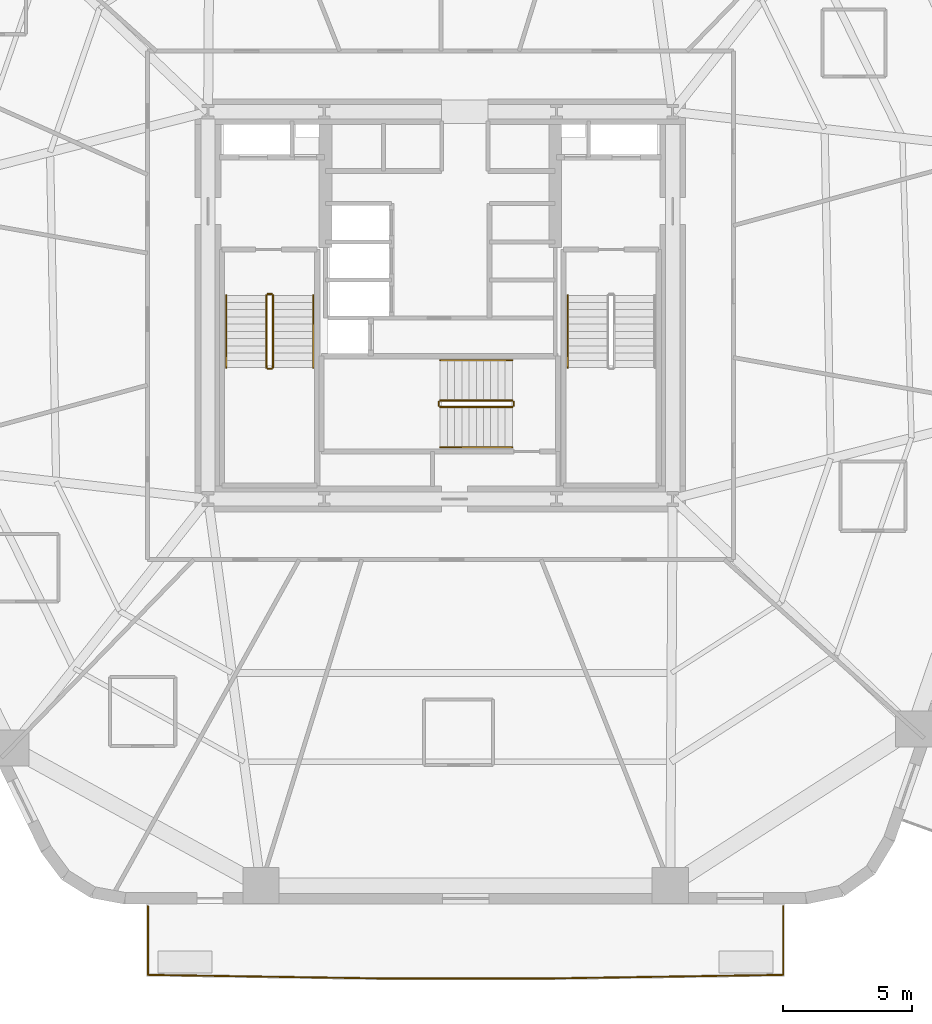
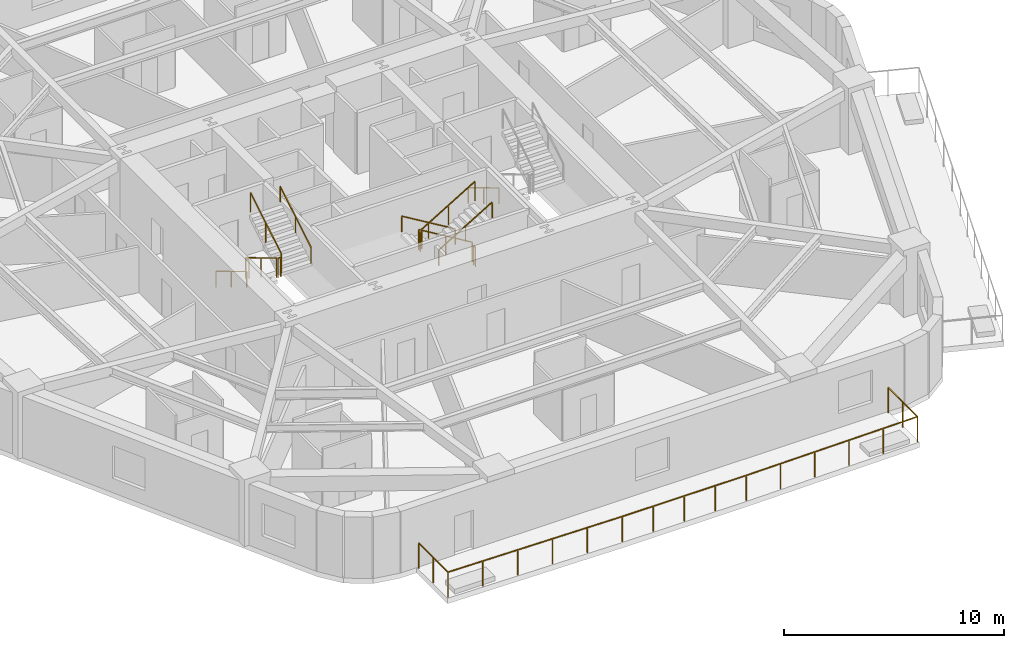
# One storey, part 8 of 10: 14 railings.
"""IFC4 building model written with IfcOpenShell, lengths in metres."""

from ifc_helpers import new_model, si_unit, direction, frame, origin, origin_2d, place, context, subcontext, project, spatial, rectangle, extrude, material, layer, layer_set, type_object, element, save


model = new_model("IFC4")

# Units and contexts
model_context = context("Model", 3, precision=1e-05, world=origin(), true_north=direction((0.0, 1.0)))
body_context = subcontext(model_context, "Body", "Model", "MODEL_VIEW")
ifc_project = project(units=[si_unit("LENGTHUNIT", "METRE"), si_unit("AREAUNIT", "SQUARE_METRE"), si_unit("VOLUMEUNIT", "CUBIC_METRE"), si_unit("PLANEANGLEUNIT", "RADIAN"), si_unit("MASSUNIT", "GRAM", prefix="KILO")], contexts=[model_context])

# Site, building, storey
site_placement = place(None, origin())
site = spatial("IfcSite", under=ifc_project, at=site_placement, CompositionType="ELEMENT")
building_placement = place(site_placement, origin())
building = spatial("IfcBuilding", under=site, at=building_placement, Name="Kilnhurst Terrace Hotel", CompositionType="ELEMENT")
storey_placement = place(building_placement, frame((0.0, 0.0, 67.5)))
storey = spatial("IfcBuildingStorey", under=building, at=storey_placement, Name="L15", CompositionType="ELEMENT", Elevation=67.5)

# Railings
ifc_material_1 = material(Name="Laminated SentryGlas and Stainless Steel AISI 316L Balustrade", Category="steel")
ifc_layer_1 = layer(ifc_material_1, 0.070068359375, Name="Laminated SentryGlas and Stainless Steel AISI 316L Balustrade")
ifc_layer_set_1 = layer_set([ifc_layer_1], Name="Laminated SentryGlas and Stainless Steel AISI 316L Balustrade")
railing_type_1 = type_object("IfcRailingType", Name="RLG-BAL-1420", PredefinedType="BALUSTRADE", material=ifc_layer_set_1)
railing_1_placement = place(storey_placement, frame((13.281494140625, -23.280029296875, 0.0)))
element("IfcRailing", 1, at=railing_1_placement, inside=storey, type_object=railing_type_1, Name="L15 Exterior Terrace Guardrail BAL-L1A.1", PredefinedType="BALUSTRADE", context=body_context, shape_type="SweptSolid", body=[
    extrude(rectangle(XDim=0.048095703125, YDim=0.048095703125, at=origin_2d()), frame((0.0, 0.0, 1.39599609375), z_axis=(0.0, -1.0, 0.0), x_axis=(1.0, 0.0, 0.0)), (0.0, 0.0, 1.0), 2.660888671875),
    extrude(rectangle(XDim=0.048095703125, YDim=0.048095703125, at=origin_2d()), frame((0.0, -2.660888671875, 1.39599609375), z_axis=(-0.999881869157, -0.015370352358, 0.0), x_axis=(0.015370352358, -0.999881869157, 0.0)), (0.0, 0.0, 1.0), 9.0537109375),
    extrude(rectangle(XDim=0.048095703125, YDim=0.048095703125, at=origin_2d()), frame((-9.052734375, -2.800048828125, 1.39599609375), z_axis=(-1.0, 0.0, 0.0), x_axis=(0.0, -1.0, 0.0)), (0.0, 0.0, 1.0), 6.508056640625),
    extrude(rectangle(XDim=0.048095703125, YDim=0.048095703125, at=origin_2d()), frame((-15.560791015625, -2.800048828125, 1.39599609375), z_axis=(-0.999881869157, 0.015370352358, 0.0), x_axis=(-0.015370352358, -0.999881869157, 0.0)), (0.0, 0.0, 1.0), 9.0537109375),
    extrude(rectangle(XDim=0.048095703125, YDim=0.048095703125, at=origin_2d()), frame((-24.613525390625, -2.660888671875, 1.39599609375), z_axis=(0.0, 1.0, 0.0), x_axis=(-1.0, 0.0, 0.0)), (0.0, 0.0, 1.0), 2.660888671875),
    extrude(rectangle(XDim=0.0419921875, YDim=0.0419921875, at=origin_2d()), origin(), (0.0, 0.0, 1.0), 1.371826171875),
    extrude(rectangle(XDim=0.0419921875, YDim=0.0419921875, at=origin_2d()), frame((0.0, -1.33056640625, 0.0)), (0.0, 0.0, 1.0), 1.371826171875),
    extrude(rectangle(XDim=0.0419921875, YDim=0.0419921875, at=origin_2d()), frame((0.0, -2.660888671875, 0.0)), (0.0, 0.0, 1.0), 1.371826171875),
    extrude(rectangle(XDim=0.0419921875, YDim=0.0419921875, at=origin_2d()), frame((-1.810546875, -2.688720703125, 0.0)), (0.0, 0.0, 1.0), 1.371826171875),
    extrude(rectangle(XDim=0.0419921875, YDim=0.0419921875, at=origin_2d()), frame((-3.62109375, -2.716552734375, 0.0)), (0.0, 0.0, 1.0), 1.371826171875),
    extrude(rectangle(XDim=0.0419921875, YDim=0.0419921875, at=origin_2d()), frame((-5.431640625, -2.744384765625, 0.0)), (0.0, 0.0, 1.0), 1.371826171875),
    extrude(rectangle(XDim=0.0419921875, YDim=0.0419921875, at=origin_2d()), frame((-7.2421875, -2.772216796875, 0.0)), (0.0, 0.0, 1.0), 1.371826171875),
    extrude(rectangle(XDim=0.0419921875, YDim=0.0419921875, at=origin_2d()), frame((-9.052734375, -2.800048828125, 0.0)), (0.0, 0.0, 1.0), 1.371826171875),
    extrude(rectangle(XDim=0.0419921875, YDim=0.0419921875, at=origin_2d()), frame((-10.6796875, -2.800048828125, 0.0)), (0.0, 0.0, 1.0), 1.371826171875),
    extrude(rectangle(XDim=0.0419921875, YDim=0.0419921875, at=origin_2d()), frame((-12.306640625, -2.800048828125, 0.0)), (0.0, 0.0, 1.0), 1.371826171875),
    extrude(rectangle(XDim=0.0419921875, YDim=0.0419921875, at=origin_2d()), frame((-13.933837890625, -2.800048828125, 0.0)), (0.0, 0.0, 1.0), 1.371826171875),
    extrude(rectangle(XDim=0.0419921875, YDim=0.0419921875, at=origin_2d()), frame((-15.560791015625, -2.800048828125, 0.0)), (0.0, 0.0, 1.0), 1.371826171875),
    extrude(rectangle(XDim=0.0419921875, YDim=0.0419921875, at=origin_2d()), frame((-17.371337890625, -2.772216796875, 0.0)), (0.0, 0.0, 1.0), 1.371826171875),
    extrude(rectangle(XDim=0.0419921875, YDim=0.0419921875, at=origin_2d()), frame((-19.181884765625, -2.744384765625, 0.0)), (0.0, 0.0, 1.0), 1.371826171875),
    extrude(rectangle(XDim=0.0419921875, YDim=0.0419921875, at=origin_2d()), frame((-20.992431640625, -2.716552734375, 0.0)), (0.0, 0.0, 1.0), 1.371826171875),
    extrude(rectangle(XDim=0.0419921875, YDim=0.0419921875, at=origin_2d()), frame((-22.802978515625, -2.688720703125, 0.0)), (0.0, 0.0, 1.0), 1.371826171875),
    extrude(rectangle(XDim=0.0419921875, YDim=0.0419921875, at=origin_2d()), frame((-24.613525390625, -2.660888671875, 0.0)), (0.0, 0.0, 1.0), 1.371826171875),
    extrude(rectangle(XDim=0.0419921875, YDim=0.0419921875, at=origin_2d()), frame((-24.613525390625, -1.33056640625, 0.0)), (0.0, 0.0, 1.0), 1.371826171875),
    extrude(rectangle(XDim=0.0419921875, YDim=0.0419921875, at=origin_2d()), frame((-24.613525390625, 0.0, 0.0)), (0.0, 0.0, 1.0), 1.371826171875),
])
ifc_material_2 = material(Name="Powder-Coated Steel ASTM A500 Grade B", Category="steel")
ifc_layer_2 = layer(ifc_material_2, 0.050048828125, Name="Powder-Coated Steel ASTM A500 Grade B")
ifc_layer_set_2 = layer_set([ifc_layer_2], Name="Powder-Coated Steel ASTM A500 Grade B")
railing_type_2 = type_object("IfcRailingType", Name="RLG-ST-GRD-1100", PredefinedType="GUARDRAIL", material=ifc_layer_set_2)
railing_2_placement = place(storey_placement, frame((-6.739990234375, 0.389892578125, 0.168212890625)))
element("IfcRailing", 2, at=railing_2_placement, inside=storey, type_object=railing_type_2, Name="L15 ST-1 stair guard 1", PredefinedType="GUARDRAIL", context=body_context, shape_type="SweptSolid", body=[
    extrude(rectangle(XDim=0.048095703125, YDim=0.048095703125, at=origin_2d()), frame((0.0, 0.0, 1.076171875), z_axis=(0.0, -0.857222391501, 0.514946377315), x_axis=(1.0, 0.0, 0.0)), (0.0, 0.0, 1.0), 3.26611328125),
    extrude(rectangle(XDim=0.0419921875, YDim=0.0419921875, at=origin_2d()), origin(), (0.0, 0.0, 1.0), 1.052001953125),
    extrude(rectangle(XDim=0.0419921875, YDim=0.0419921875, at=origin_2d()), frame((0.0, -1.39990234375, 0.8408203125)), (0.0, 0.0, 1.0), 1.052001953125),
    extrude(rectangle(XDim=0.0419921875, YDim=0.0419921875, at=origin_2d()), frame((0.0, -2.7998046875, 1.681884765625)), (0.0, 0.0, 1.0), 1.052001953125),
])
railing_3_placement = place(storey_placement, frame((-6.68994140625, -2.4599609375, 1.85009765625)))
element("IfcRailing", 3, at=railing_3_placement, inside=storey, type_object=railing_type_2, Name="L15 ST-1 stair guard 2", PredefinedType="GUARDRAIL", context=body_context, shape_type="SweptSolid", body=[
    extrude(rectangle(XDim=0.048095703125, YDim=0.048095703125, at=origin_2d()), frame((0.0, 0.0, 1.076171875), z_axis=(1.0, 0.0, 0.0), x_axis=(0.0, 1.0, 0.0)), (0.0, 0.0, 1.0), 0.14990234375),
    extrude(rectangle(XDim=0.0419921875, YDim=0.0419921875, at=origin_2d()), origin(), (0.0, 0.0, 1.0), 1.052001953125),
    extrude(rectangle(XDim=0.0419921875, YDim=0.0419921875, at=origin_2d()), frame((0.14990234375, 0.0, 0.0)), (0.0, 0.0, 1.0), 1.052001953125),
])
railing_4_placement = place(storey_placement, frame((-6.489990234375, -2.409912109375, 2.01806640625)))
element("IfcRailing", 4, at=railing_4_placement, inside=storey, type_object=railing_type_2, Name="L15 ST-1 stair guard 3", PredefinedType="GUARDRAIL", context=body_context, shape_type="SweptSolid", body=[
    extrude(rectangle(XDim=0.048095703125, YDim=0.048095703125, at=origin_2d()), frame((0.0, 0.0, 1.076171875), z_axis=(0.0, 0.857222391501, 0.514946377315), x_axis=(-1.0, 0.0, 0.0)), (0.0, 0.0, 1.0), 3.26611328125),
    extrude(rectangle(XDim=0.0419921875, YDim=0.0419921875, at=origin_2d()), origin(), (0.0, 0.0, 1.0), 1.052001953125),
    extrude(rectangle(XDim=0.0419921875, YDim=0.0419921875, at=origin_2d()), frame((0.0, 1.39990234375, 0.8408203125)), (0.0, 0.0, 1.0), 1.052001953125),
    extrude(rectangle(XDim=0.0419921875, YDim=0.0419921875, at=origin_2d()), frame((0.0, 2.7998046875, 1.681884765625)), (0.0, 0.0, 1.0), 1.052001953125),
])
railing_5_placement = place(storey_placement, frame((-6.68994140625, 0.43994140625, 0.0)))
element("IfcRailing", 5, at=railing_5_placement, inside=storey, type_object=railing_type_2, Name="L15 ST-1 stair guard 4", PredefinedType="GUARDRAIL", context=body_context, shape_type="SweptSolid", body=[
    extrude(rectangle(XDim=0.048095703125, YDim=0.048095703125, at=origin_2d()), frame((0.0, 0.0, 1.076171875), z_axis=(1.0, 0.0, 0.0), x_axis=(0.0, 1.0, 0.0)), (0.0, 0.0, 1.0), 0.14990234375),
    extrude(rectangle(XDim=0.0419921875, YDim=0.0419921875, at=origin_2d()), origin(), (0.0, 0.0, 1.0), 1.052001953125),
    extrude(rectangle(XDim=0.0419921875, YDim=0.0419921875, at=origin_2d()), frame((0.14990234375, 0.0, 0.0)), (0.0, 0.0, 1.0), 1.052001953125),
])
railing_6_placement = place(storey_placement, frame((2.7900390625, -3.68994140625, 0.168212890625)))
element("IfcRailing", 6, at=railing_6_placement, inside=storey, type_object=railing_type_2, Name="L15 ST-3 stair guard 1", PredefinedType="GUARDRAIL", context=body_context, shape_type="SweptSolid", body=[
    extrude(rectangle(XDim=0.048095703125, YDim=0.048095703125, at=origin_2d()), frame((0.0, 0.0, 1.076171875), z_axis=(-0.857242210791, 0.0, 0.514913383045), x_axis=(0.0, -1.0, 0.0)), (0.0, 0.0, 1.0), 3.266357421875),
    extrude(rectangle(XDim=0.0419921875, YDim=0.0419921875, at=origin_2d()), origin(), (0.0, 0.0, 1.0), 1.052001953125),
    extrude(rectangle(XDim=0.0419921875, YDim=0.0419921875, at=origin_2d()), frame((-1.39990234375, 0.0, 0.8408203125)), (0.0, 0.0, 1.0), 1.052001953125),
    extrude(rectangle(XDim=0.0419921875, YDim=0.0419921875, at=origin_2d()), frame((-2.800048828125, 0.0, 1.681884765625)), (0.0, 0.0, 1.0), 1.052001953125),
])
railing_7_placement = place(storey_placement, frame((-0.06005859375, -3.739990234375, 1.85009765625)))
element("IfcRailing", 7, at=railing_7_placement, inside=storey, type_object=railing_type_2, Name="L15 ST-3 stair guard 2", PredefinedType="GUARDRAIL", context=body_context, shape_type="SweptSolid", body=[
    extrude(rectangle(XDim=0.048095703125, YDim=0.048095703125, at=origin_2d()), frame((0.0, 0.0, 1.076171875), z_axis=(0.0, -1.0, 0.0), x_axis=(1.0, 0.0, 0.0)), (0.0, 0.0, 1.0), 0.14990234375),
    extrude(rectangle(XDim=0.0419921875, YDim=0.0419921875, at=origin_2d()), origin(), (0.0, 0.0, 1.0), 1.052001953125),
    extrude(rectangle(XDim=0.0419921875, YDim=0.0419921875, at=origin_2d()), frame((0.0, -0.14990234375, 0.0)), (0.0, 0.0, 1.0), 1.052001953125),
])
railing_8_placement = place(storey_placement, frame((-0.010009765625, -3.93994140625, 2.01806640625)))
element("IfcRailing", 8, at=railing_8_placement, inside=storey, type_object=railing_type_2, Name="L15 ST-3 stair guard 3", PredefinedType="GUARDRAIL", context=body_context, shape_type="SweptSolid", body=[
    extrude(rectangle(XDim=0.048095703125, YDim=0.048095703125, at=origin_2d()), frame((0.0, 0.0, 1.076171875), z_axis=(0.857242210791, 0.0, 0.514913383045), x_axis=(0.0, 1.0, 0.0)), (0.0, 0.0, 1.0), 3.266357421875),
    extrude(rectangle(XDim=0.0419921875, YDim=0.0419921875, at=origin_2d()), origin(), (0.0, 0.0, 1.0), 1.052001953125),
    extrude(rectangle(XDim=0.0419921875, YDim=0.0419921875, at=origin_2d()), frame((1.39990234375, 0.0, 0.8408203125)), (0.0, 0.0, 1.0), 1.052001953125),
    extrude(rectangle(XDim=0.0419921875, YDim=0.0419921875, at=origin_2d()), frame((2.800048828125, 0.0, 1.681884765625)), (0.0, 0.0, 1.0), 1.052001953125),
])
railing_9_placement = place(storey_placement, frame((2.840087890625, -3.739990234375, 0.0)))
element("IfcRailing", 9, at=railing_9_placement, inside=storey, type_object=railing_type_2, Name="L15 ST-3 stair guard 4", PredefinedType="GUARDRAIL", context=body_context, shape_type="SweptSolid", body=[
    extrude(rectangle(XDim=0.048095703125, YDim=0.048095703125, at=origin_2d()), frame((0.0, 0.0, 1.076171875), z_axis=(0.0, -1.0, 0.0), x_axis=(1.0, 0.0, 0.0)), (0.0, 0.0, 1.0), 0.14990234375),
    extrude(rectangle(XDim=0.0419921875, YDim=0.0419921875, at=origin_2d()), origin(), (0.0, 0.0, 1.0), 1.052001953125),
    extrude(rectangle(XDim=0.0419921875, YDim=0.0419921875, at=origin_2d()), frame((0.0, -0.14990234375, 0.0)), (0.0, 0.0, 1.0), 1.052001953125),
])
ifc_material_3 = material(Name="Brushed Stainless Steel AISI 304", Category="steel")
ifc_layer_3 = layer(ifc_material_3, 0.048095703125, Name="Brushed Stainless Steel AISI 304")
ifc_layer_set_3 = layer_set([ifc_layer_3], Name="Brushed Stainless Steel AISI 304")
railing_type_3 = type_object("IfcRailingType", Name="RLG-ST-HRL-900", PredefinedType="HANDRAIL", material=ifc_layer_set_3)
railing_10_placement = place(storey_placement, frame((-8.300048828125, 0.389892578125, 0.168212890625)))
element("IfcRailing", 10, at=railing_10_placement, inside=storey, type_object=railing_type_3, Name="L15 ST-1 stair handrail 1", PredefinedType="HANDRAIL", context=body_context, shape_type="SweptSolid", body=[
    extrude(rectangle(XDim=0.048095703125, YDim=0.048095703125, at=origin_2d()), frame((0.0, 0.0, 0.8759765625), z_axis=(0.0, -0.857222391501, 0.514946377315), x_axis=(1.0, 0.0, 0.0)), (0.0, 0.0, 1.0), 3.26611328125),
    extrude(rectangle(XDim=0.0419921875, YDim=0.0419921875, at=origin_2d()), origin(), (0.0, 0.0, 1.0), 0.851806640625),
    extrude(rectangle(XDim=0.0419921875, YDim=0.0419921875, at=origin_2d()), frame((0.0, -1.39990234375, 0.8408203125)), (0.0, 0.0, 1.0), 0.851806640625),
    extrude(rectangle(XDim=0.0419921875, YDim=0.0419921875, at=origin_2d()), frame((0.0, -2.7998046875, 1.681884765625)), (0.0, 0.0, 1.0), 0.851806640625),
])
railing_11_placement = place(storey_placement, frame((-4.929931640625, -2.409912109375, 2.01806640625)))
element("IfcRailing", 11, at=railing_11_placement, inside=storey, type_object=railing_type_3, Name="L15 ST-1 stair handrail 2", PredefinedType="HANDRAIL", context=body_context, shape_type="SweptSolid", body=[
    extrude(rectangle(XDim=0.048095703125, YDim=0.048095703125, at=origin_2d()), frame((0.0, 0.0, 0.8759765625), z_axis=(0.0, 0.857222391501, 0.514946377315), x_axis=(-1.0, 0.0, 0.0)), (0.0, 0.0, 1.0), 3.26611328125),
    extrude(rectangle(XDim=0.0419921875, YDim=0.0419921875, at=origin_2d()), origin(), (0.0, 0.0, 1.0), 0.851806640625),
    extrude(rectangle(XDim=0.0419921875, YDim=0.0419921875, at=origin_2d()), frame((0.0, 1.39990234375, 0.8408203125)), (0.0, 0.0, 1.0), 0.851806640625),
    extrude(rectangle(XDim=0.0419921875, YDim=0.0419921875, at=origin_2d()), frame((0.0, 2.7998046875, 1.681884765625)), (0.0, 0.0, 1.0), 0.851806640625),
])
railing_12_placement = place(storey_placement, frame((4.929931640625, 0.389892578125, 0.168212890625)))
element("IfcRailing", 12, at=railing_12_placement, inside=storey, type_object=railing_type_3, Name="L15 ST-2 stair handrail 1", PredefinedType="HANDRAIL", context=body_context, shape_type="SweptSolid", body=[
    extrude(rectangle(XDim=0.048095703125, YDim=0.048095703125, at=origin_2d()), frame((0.0, 0.0, 0.8759765625), z_axis=(0.0, -0.857222391501, 0.514946377315), x_axis=(1.0, 0.0, 0.0)), (0.0, 0.0, 1.0), 3.26611328125),
    extrude(rectangle(XDim=0.0419921875, YDim=0.0419921875, at=origin_2d()), origin(), (0.0, 0.0, 1.0), 0.851806640625),
    extrude(rectangle(XDim=0.0419921875, YDim=0.0419921875, at=origin_2d()), frame((0.0, -1.39990234375, 0.8408203125)), (0.0, 0.0, 1.0), 0.851806640625),
    extrude(rectangle(XDim=0.0419921875, YDim=0.0419921875, at=origin_2d()), frame((0.0, -2.7998046875, 1.681884765625)), (0.0, 0.0, 1.0), 0.851806640625),
])
railing_13_placement = place(storey_placement, frame((2.7900390625, -2.1298828125, 0.168212890625)))
element("IfcRailing", 13, at=railing_13_placement, inside=storey, type_object=railing_type_3, Name="L15 ST-3 stair handrail 1", PredefinedType="HANDRAIL", context=body_context, shape_type="SweptSolid", body=[
    extrude(rectangle(XDim=0.048095703125, YDim=0.048095703125, at=origin_2d()), frame((0.0, 0.0, 0.8759765625), z_axis=(-0.857242210791, 0.0, 0.514913383045), x_axis=(0.0, -1.0, 0.0)), (0.0, 0.0, 1.0), 3.266357421875),
    extrude(rectangle(XDim=0.0419921875, YDim=0.0419921875, at=origin_2d()), origin(), (0.0, 0.0, 1.0), 0.851806640625),
    extrude(rectangle(XDim=0.0419921875, YDim=0.0419921875, at=origin_2d()), frame((-1.39990234375, 0.0, 0.8408203125)), (0.0, 0.0, 1.0), 0.851806640625),
    extrude(rectangle(XDim=0.0419921875, YDim=0.0419921875, at=origin_2d()), frame((-2.800048828125, 0.0, 1.681884765625)), (0.0, 0.0, 1.0), 0.851806640625),
])
railing_14_placement = place(storey_placement, frame((-0.010009765625, -5.5, 2.01806640625)))
element("IfcRailing", 14, at=railing_14_placement, inside=storey, type_object=railing_type_3, Name="L15 ST-3 stair handrail 2", PredefinedType="HANDRAIL", context=body_context, shape_type="SweptSolid", body=[
    extrude(rectangle(XDim=0.048095703125, YDim=0.048095703125, at=origin_2d()), frame((0.0, 0.0, 0.8759765625), z_axis=(0.857242210791, 0.0, 0.514913383045), x_axis=(0.0, 1.0, 0.0)), (0.0, 0.0, 1.0), 3.266357421875),
    extrude(rectangle(XDim=0.0419921875, YDim=0.0419921875, at=origin_2d()), origin(), (0.0, 0.0, 1.0), 0.851806640625),
    extrude(rectangle(XDim=0.0419921875, YDim=0.0419921875, at=origin_2d()), frame((1.39990234375, 0.0, 0.8408203125)), (0.0, 0.0, 1.0), 0.851806640625),
    extrude(rectangle(XDim=0.0419921875, YDim=0.0419921875, at=origin_2d()), frame((2.800048828125, 0.0, 1.681884765625)), (0.0, 0.0, 1.0), 0.851806640625),
])

save(model, "model.ifc")
